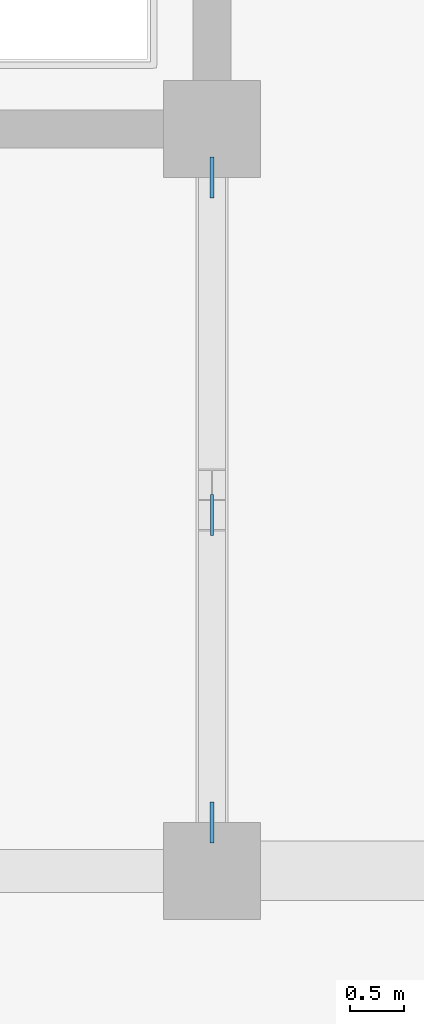
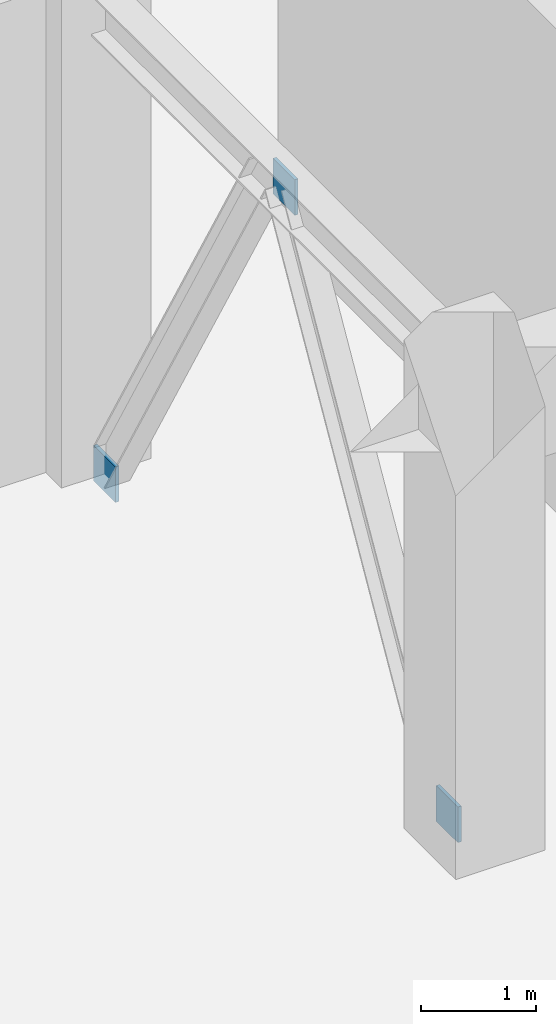
# One storey, part 84 of 117: 3 plates.
"""IFC4 building model written with IfcOpenShell, lengths in metres."""

from ifc_helpers import new_model, si_unit, direction, frame, origin, origin_2d, place, context, subcontext, project, spatial, rectangle, extrude, material, layer, layer_set, type_object, element, save


model = new_model("IFC4")

# Units and contexts
model_context = context("Model", 3, precision=1e-05, world=origin(), true_north=direction((0.0, 1.0)))
body_context = subcontext(model_context, "Body", "Model", "MODEL_VIEW")
ifc_project = project(units=[si_unit("LENGTHUNIT", "METRE"), si_unit("AREAUNIT", "SQUARE_METRE"), si_unit("VOLUMEUNIT", "CUBIC_METRE"), si_unit("PLANEANGLEUNIT", "RADIAN"), si_unit("MASSUNIT", "GRAM", prefix="KILO")], contexts=[model_context])

# Site, building, storey
site_placement = place(None, origin())
site = spatial("IfcSite", under=ifc_project, at=site_placement, CompositionType="ELEMENT")
building_placement = place(site_placement, origin())
building = spatial("IfcBuilding", under=site, at=building_placement, Name="Linyun Crest Stadium", CompositionType="ELEMENT")
storey_placement = place(building_placement, frame((0.0, 0.0, 6.0)))
storey = spatial("IfcBuildingStorey", under=building, at=storey_placement, Name="L02", CompositionType="ELEMENT", Elevation=6.0)

# Plates
ifc_material_1 = material(Name="Steel Q420C", Category="steel")
ifc_layer_1 = layer(ifc_material_1, 0.031982421875)
ifc_layer_set_1 = layer_set([ifc_layer_1], Name="Steel Q420C")
plate_type_1 = type_object("IfcPlateType", Name="EP04", PredefinedType="USERDEFINED", material=ifc_layer_set_1)
plate_placement = place(storey_placement, frame((84.0, -42.701904296875, 4.761962890625), z_axis=(0.0, 0.0, 1.0), x_axis=(0.0, 1.0, 0.0)))
element("IfcPlate", 1, at=plate_placement, inside=storey, type_object=plate_type_1, Name="Hollow section cap end plate EP04 475", ObjectType="END PLATE", PredefinedType="USERDEFINED", context=body_context, shape_type="SweptSolid", body=[
    extrude(rectangle(XDim=0.3798828125, YDim=0.031982421875, at=origin_2d()), origin(), (0.0, 0.0, 1.0), 0.3798828125),
])
ifc_material_2 = material(Name="Steel Q420C", Category="steel")
ifc_layer_2 = layer(ifc_material_2, 0.035888671875)
ifc_layer_set_2 = layer_set([ifc_layer_2], Name="Steel Q420C")
plate_type_2 = type_object("IfcPlateType", Name="NP04", PredefinedType="USERDEFINED", material=ifc_layer_set_2)
for number, where, z_axis, x_axis, name in (
    (2, (84.0, -45.550048828125, -0.18994140625), (0.0, 0.0, 1.0), (0.0, 1.0, 0.0), "Hollow section cap end plate NP04 474"),
    (3, (84.0, -39.574951171875, -0.18994140625), (0.0, 0.0, 1.0), (0.0, 1.0, 0.0), "Hollow section cap end plate NP04 476"),
):
    element("IfcPlate", number, at=place(storey_placement, frame(where, z_axis=z_axis, x_axis=x_axis)), inside=storey, type_object=plate_type_2, Name=name, ObjectType="GUSSET PLATE", PredefinedType="USERDEFINED", context=body_context, shape_type="SweptSolid", body=[
        extrude(rectangle(XDim=0.3798828125, YDim=0.035888671875, at=origin_2d()), origin(), (0.0, 0.0, 1.0), 0.3798828125),
    ])

save(model, "model.ifc")
